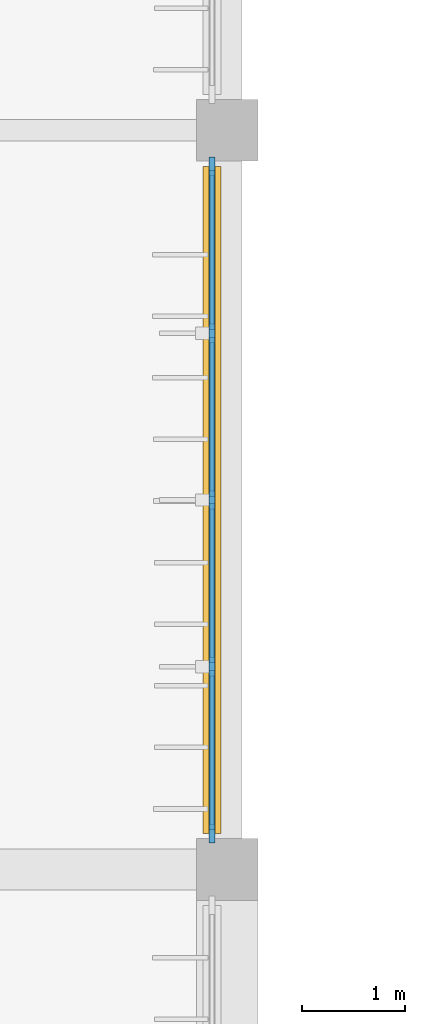
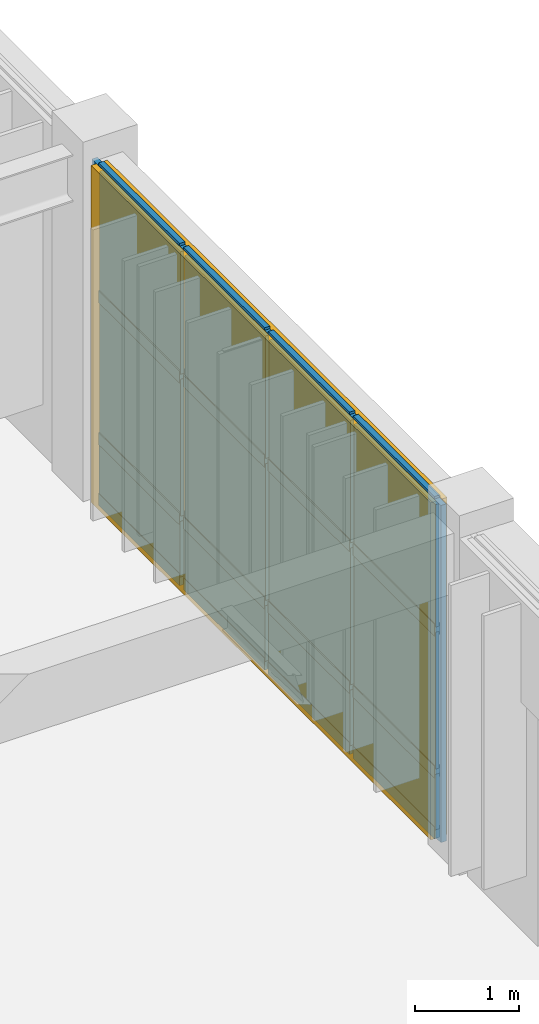
# One storey, part 72 of 122: 21 members, 12 plates, 1 curtain wall.
"""IFC4 building model written with IfcOpenShell, lengths in metres."""

import ifcopenshell
import ifcopenshell.guid

model = None  # the IFC model being written
_history = None  # IfcOwnerHistory: only IFC2X3 demands one
_inside = {}  # id of a spatial element -> (the spatial element, [elements in it])
_under = {}  # id of a project, library or spatial element -> (it, [spatial elements below it])
_declared = {}  # id of a project -> (the project, [libraries it declares])
_typed = {}  # id of a type object -> (the type object, [elements of that type])
_made_of = {}  # id of a material, layer set ... -> (it, [elements and type objects made of it])


def new_model(schema):
    """Start an empty IFC model of exactly this schema.

    Asked for "IFC4X3", IfcOpenShell would pick the latest addendum, in which some entities
    have other attributes; the version numbers below select the first issue.
    IFC2X3 requires an IfcOwnerHistory on every rooted entity: one is made here for all.
    """
    global model, _history
    if schema == "IFC4X3":
        model = ifcopenshell.file(schema_version=(4, 3, 0, 0))
    else:
        model = ifcopenshell.file(schema=schema)
    _inside.clear()
    _under.clear()
    _declared.clear()
    _typed.clear()
    _made_of.clear()
    _history = None
    if model.schema == "IFC2X3":
        org = make("IfcOrganization", Name="unknown")
        user = make(
            "IfcPersonAndOrganization",
            ThePerson=make("IfcPerson", FamilyName="unknown"),
            TheOrganization=org,
        )
        app = make(
            "IfcApplication",
            ApplicationDeveloper=org,
            Version="unknown",
            ApplicationFullName="unknown",
            ApplicationIdentifier="unknown",
        )
        _history = make(
            "IfcOwnerHistory",
            OwningUser=user,
            OwningApplication=app,
            ChangeAction="ADDED",
            CreationDate=0,
        )
    return model


def make(cls, **values):
    """One entity of the class cls with the attributes given. An attribute that is None is left unset."""
    return model.create_entity(
        cls, **{name: value for name, value in values.items() if value is not None}
    )


def rooted(cls, **values):
    """An entity with a GlobalId (a new one), such as an element, a storey or a relation."""
    return make(cls, GlobalId=ifcopenshell.guid.new(), OwnerHistory=_history, **values)


def si_unit(unit_type, name, prefix=None):
    """IfcSIUnit, for example si_unit("LENGTHUNIT", "METRE", prefix="MILLI")."""
    return make("IfcSIUnit", UnitType=unit_type, Prefix=prefix, Name=name)


def assignment(units):
    """IfcUnitAssignment: the units of a project."""
    return None if units is None else make("IfcUnitAssignment", Units=units)


def point(xyz):
    """IfcCartesianPoint."""
    return None if xyz is None else make("IfcCartesianPoint", Coordinates=xyz)


def direction(xyz):
    """IfcDirection."""
    return None if xyz is None else make("IfcDirection", DirectionRatios=xyz)


def frame(location, z_axis=None, x_axis=None):
    """IfcAxis2Placement3D, a coordinate frame: its origin and axes. An axis left out is left unset."""
    return make(
        "IfcAxis2Placement3D",
        Location=point(location),
        Axis=direction(z_axis),
        RefDirection=direction(x_axis),
    )


def frame_2d(location, x_axis=None):
    """IfcAxis2Placement2D, a coordinate frame in the plane: its origin and x axis."""
    return make(
        "IfcAxis2Placement2D", Location=point(location), RefDirection=direction(x_axis)
    )


def origin():
    """The frame at (0, 0, 0) with its axes left unset."""
    return frame((0.0, 0.0, 0.0))


def origin_2d():
    """The frame at (0, 0) in the plane with its x axis left unset."""
    return frame_2d((0.0, 0.0))


def place(relative_to, where):
    """IfcLocalPlacement: puts the frame where relative to a parent placement (None: the world)."""
    return make(
        "IfcLocalPlacement", PlacementRelTo=relative_to, RelativePlacement=where
    )


def context(
    kind, dimensions, precision=None, world=None, true_north=None, identifier=None
):
    """IfcGeometricRepresentationContext, for example the 3D "Model" context."""
    return make(
        "IfcGeometricRepresentationContext",
        ContextIdentifier=identifier,
        ContextType=kind,
        CoordinateSpaceDimension=dimensions,
        Precision=precision,
        WorldCoordinateSystem=world,
        TrueNorth=true_north,
    )


def subcontext(parent, identifier, kind, view, scale=None):
    """IfcGeometricRepresentationSubContext, for example "Body" below "Model"."""
    return make(
        "IfcGeometricRepresentationSubContext",
        ContextIdentifier=identifier,
        ContextType=kind,
        ParentContext=parent,
        TargetScale=scale,
        TargetView=view,
    )


def project(units=None, contexts=None):
    """IfcProject with its units and contexts."""
    return rooted(
        "IfcProject",
        Name="project",
        RepresentationContexts=contexts,
        UnitsInContext=assignment(units),
    )


def spatial(cls, under=None, at=None, **own):
    """A site, building, storey or space (cls), placed at a placement, below another one or the project."""
    s = rooted(cls, ObjectPlacement=at, **own)
    if under is not None:
        _under.setdefault(under.id(), (under, []))[1].append(s)
    return s


def profile(cls, at=None, kind="AREA", **sizes):
    """A parametric profile (cls). Its sizes go by their IFC names, for example OverallWidth=200.0."""
    return make(cls, ProfileType=kind, Position=at, **sizes)


def rectangle(**sizes):
    """IfcRectangleProfileDef."""
    return profile("IfcRectangleProfileDef", **sizes)


def extrude(swept, where, along, depth):
    """IfcExtrudedAreaSolid: the profile swept, set in the frame where, extruded along a direction by depth."""
    return make(
        "IfcExtrudedAreaSolid",
        SweptArea=swept,
        Position=where,
        ExtrudedDirection=direction(along),
        Depth=depth,
    )


def shape(context_of_items, identifier, shape_type, items):
    """IfcShapeRepresentation: the items that make up one representation, for example the "Body"."""
    return make(
        "IfcShapeRepresentation",
        ContextOfItems=context_of_items,
        RepresentationIdentifier=identifier,
        RepresentationType=shape_type,
        Items=items,
    )


def material(Name=None, Category=None):
    """IfcMaterial."""
    return make("IfcMaterial", Name=Name, Category=Category)


def layer(
    of_material, thickness, ventilated=None, Name=None, Category=None, Priority=None
):
    """IfcMaterialLayer: one layer of a wall or slab, of a material (None: an air gap)."""
    return make(
        "IfcMaterialLayer",
        Material=of_material,
        LayerThickness=thickness,
        IsVentilated=ventilated,
        Name=Name,
        Category=Category,
        Priority=Priority,
    )


def layer_set(layers, Name=None):
    """IfcMaterialLayerSet."""
    return make("IfcMaterialLayerSet", MaterialLayers=layers, LayerSetName=Name)


def material_profile(
    of_material, cross_section, Name=None, Category=None, Priority=None
):
    """IfcMaterialProfile: a cross section and its material."""
    return make(
        "IfcMaterialProfile",
        Name=Name,
        Material=of_material,
        Profile=cross_section,
        Priority=Priority,
        Category=Category,
    )


def profile_set(profiles, Name=None, composite=None):
    """IfcMaterialProfileSet."""
    return make(
        "IfcMaterialProfileSet",
        Name=Name,
        MaterialProfiles=profiles,
        CompositeProfile=composite,
    )


def made_of(thing, what):
    """Note that an element or type object is made of a material, layer set ...; save() writes the relation."""
    if what is not None:
        _made_of.setdefault(what.id(), (what, []))[1].append(thing)
    return thing


def type_object(cls, material=None, **own):
    """A type object (cls), such as IfcWallType, which elements share."""
    return made_of(rooted(cls, **own), material)


def element(
    cls,
    number,
    at=None,
    inside=None,
    cuts=None,
    type_object=None,
    material=None,
    context=None,
    identifier="Body",
    shape_type=None,
    held_by="IfcProductDefinitionShape",
    body=None,
    shapes=None,
    **own,
):
    """One element of the class cls, such as IfcWall. Its Tag is "e" and its number.

    at: its placement. inside: the storey or other place that contains it. cuts: it is an
    opening in that element (IfcRelVoidsElement). A single representation is given by context,
    identifier, shape_type and body (its items); several are given by shapes. held_by: the class
    of the entity that holds the representations. save() writes the other relations.
    """
    e = rooted(cls, Tag="e%d" % number, ObjectPlacement=at, **own)
    if body is not None:
        shapes = [shape(context, identifier, shape_type, body)]
    if shapes is not None:
        e.Representation = make(held_by, Representations=shapes)
    if inside is not None:
        _inside.setdefault(inside.id(), (inside, []))[1].append(e)
    if cuts is not None:
        rooted(
            "IfcRelVoidsElement", RelatingBuildingElement=cuts, RelatedOpeningElement=e
        )
    if type_object is not None:
        _typed.setdefault(type_object.id(), (type_object, []))[1].append(e)
    return made_of(e, material)


def aggregate(whole, parts):
    """IfcRelAggregates: a whole, such as a stair, and the parts it consists of."""
    return rooted("IfcRelAggregates", RelatingObject=whole, RelatedObjects=parts)


def save(model, path):
    """Write the relations noted so far, then the file.

    IfcRelAggregates (storeys below a building ...), IfcRelContainedInSpatialStructure (elements
    in a storey), IfcRelDefinesByType, IfcRelAssociatesMaterial and IfcRelDeclares: one each for
    every whole, place, type object, material and project.
    """
    for whole, parts in _under.values():
        aggregate(whole, parts)
    for where, things in _inside.values():
        rooted(
            "IfcRelContainedInSpatialStructure",
            RelatedElements=things,
            RelatingStructure=where,
        )
    for kind, things in _typed.values():
        rooted("IfcRelDefinesByType", RelatedObjects=things, RelatingType=kind)
    for what, things in _made_of.values():
        rooted("IfcRelAssociatesMaterial", RelatedObjects=things, RelatingMaterial=what)
    for by, libraries in _declared.values():
        rooted("IfcRelDeclares", RelatingContext=by, RelatedDefinitions=libraries)
    model.write(path)


model = new_model("IFC4")

# Units and contexts
model_context = context("Model", 3, precision=1e-05, world=origin(), true_north=direction((0.0, 1.0)))
body_context = subcontext(model_context, "Body", "Model", "MODEL_VIEW")
ifc_project = project(units=[si_unit("LENGTHUNIT", "METRE"), si_unit("AREAUNIT", "SQUARE_METRE"), si_unit("VOLUMEUNIT", "CUBIC_METRE"), si_unit("PLANEANGLEUNIT", "RADIAN"), si_unit("MASSUNIT", "GRAM", prefix="KILO")], contexts=[model_context])

# Member
ifc_material_1 = material(Name="Anodised Bronze Aluminium 6063-T6", Category="aluminium")
ifc_material_profile_1 = material_profile(ifc_material_1, rectangle(XDim=0.06005859375, YDim=0.179931640625, at=origin_2d()), Name="ALU MULLION 60x180")
ifc_profile_set_1 = profile_set([ifc_material_profile_1], Name="Anodised Bronze Aluminium 6063-T6")
member_type_1 = type_object("IfcMemberType", Name="Curtain-Wall Primary Mullion 60x180", PredefinedType="MULLION", material=ifc_profile_set_1)
site_placement = place(None, origin())
building_placement = place(site_placement, origin())
storey_placement = place(building_placement, frame((0.0, 0.0, 4.800048828125)))
member_1_placement = place(storey_placement, frame((27.449951171875, 52.14990234375, 0.0), z_axis=(0.0, 0.0, 1.0), x_axis=(1.0, 0.0, 0.0)))
member_1 = element("IfcMember", 1, at=member_1_placement, type_object=member_type_1, Name="Mullion CWM-01 CW-V6-E1-L01-B2-M01", PredefinedType="MULLION", context=body_context, shape_type="SweptSolid", body=[
    extrude(rectangle(XDim=0.06005859375, YDim=0.179931640625, at=origin_2d()), origin(), (0.0, 0.0, 1.0), 3.93994140625),
])

member_2_placement = place(storey_placement, frame((27.449951171875, 53.77490234375, 0.0), z_axis=(0.0, 0.0, 1.0), x_axis=(1.0, 0.0, 0.0)))
member_2 = element("IfcMember", 2, at=member_2_placement, type_object=member_type_1, Name="Mullion CWM-01 CW-V6-E1-L01-B2-M02", PredefinedType="MULLION", context=body_context, shape_type="SweptSolid", body=[
    extrude(rectangle(XDim=0.06005859375, YDim=0.179931640625, at=origin_2d()), origin(), (0.0, 0.0, 1.0), 3.93994140625),
])

member_3_placement = place(storey_placement, frame((27.449951171875, 55.39990234375, 0.0), z_axis=(0.0, 0.0, 1.0), x_axis=(1.0, 0.0, 0.0)))
member_3 = element("IfcMember", 3, at=member_3_placement, type_object=member_type_1, Name="Mullion CWM-01 CW-V6-E1-L01-B2-M03", PredefinedType="MULLION", context=body_context, shape_type="SweptSolid", body=[
    extrude(rectangle(XDim=0.06005859375, YDim=0.179931640625, at=origin_2d()), origin(), (0.0, 0.0, 1.0), 3.93994140625),
])

member_4_placement = place(storey_placement, frame((27.449951171875, 57.02490234375, 0.0), z_axis=(0.0, 0.0, 1.0), x_axis=(1.0, 0.0, 0.0)))
member_4 = element("IfcMember", 4, at=member_4_placement, type_object=member_type_1, Name="Mullion CWM-01 CW-V6-E1-L01-B2-M04", PredefinedType="MULLION", context=body_context, shape_type="SweptSolid", body=[
    extrude(rectangle(XDim=0.06005859375, YDim=0.179931640625, at=origin_2d()), origin(), (0.0, 0.0, 1.0), 3.93994140625),
])

member_5_placement = place(storey_placement, frame((27.449951171875, 58.64990234375, 0.0), z_axis=(0.0, 0.0, 1.0), x_axis=(1.0, 0.0, 0.0)))
member_5 = element("IfcMember", 5, at=member_5_placement, type_object=member_type_1, Name="Mullion CWM-01 CW-V6-E1-L01-B2-M05", PredefinedType="MULLION", context=body_context, shape_type="SweptSolid", body=[
    extrude(rectangle(XDim=0.06005859375, YDim=0.179931640625, at=origin_2d()), origin(), (0.0, 0.0, 1.0), 3.93994140625),
])

ifc_material_profile_2 = material_profile(ifc_material_1, rectangle(XDim=0.06005859375, YDim=0.139892578125, at=origin_2d()), Name="ALU TRANSOM 60x140")
ifc_profile_set_2 = profile_set([ifc_material_profile_2], Name="Anodised Bronze Aluminium 6063-T6")
member_type_2 = type_object("IfcMemberType", Name="Curtain-Wall Transom 60x140", PredefinedType="USERDEFINED", material=ifc_profile_set_2)
member_6_placement = place(storey_placement, frame((27.449951171875, 52.18505859375, 0.0400390625), z_axis=(0.0, 1.0, 0.0), x_axis=(-1.0, 0.0, 0.0)))
member_6 = element("IfcMember", 6, at=member_6_placement, type_object=member_type_2, Name="Transom CWT-01 CW-V6-E1-L01-B2-T01.1", ObjectType="TRANSOM", PredefinedType="USERDEFINED", context=body_context, shape_type="SweptSolid", body=[
    extrude(rectangle(XDim=0.06005859375, YDim=0.139892578125, at=origin_2d()), origin(), (0.0, 0.0, 1.0), 1.554931640625),
])

member_7_placement = place(storey_placement, frame((27.449951171875, 52.18505859375, 0.75), z_axis=(0.0, 1.0, 0.0), x_axis=(-1.0, 0.0, 0.0)))
member_7 = element("IfcMember", 7, at=member_7_placement, type_object=member_type_2, Name="Transom CWT-01 CW-V6-E1-L01-B2-T01.2", ObjectType="TRANSOM", PredefinedType="USERDEFINED", context=body_context, shape_type="SweptSolid", body=[
    extrude(rectangle(XDim=0.06005859375, YDim=0.139892578125, at=origin_2d()), origin(), (0.0, 0.0, 1.0), 1.554931640625),
])

member_8_placement = place(storey_placement, frame((27.449951171875, 52.18505859375, 2.40869140625), z_axis=(0.0, 1.0, 0.0), x_axis=(-1.0, 0.0, 0.0)))
member_8 = element("IfcMember", 8, at=member_8_placement, type_object=member_type_2, Name="Transom CWT-01 CW-V6-E1-L01-B2-T01.3", ObjectType="TRANSOM", PredefinedType="USERDEFINED", context=body_context, shape_type="SweptSolid", body=[
    extrude(rectangle(XDim=0.06005859375, YDim=0.139892578125, at=origin_2d()), origin(), (0.0, 0.0, 1.0), 1.554931640625),
])

member_9_placement = place(storey_placement, frame((27.449951171875, 52.18505859375, 3.89990234375), z_axis=(0.0, 1.0, 0.0), x_axis=(-1.0, 0.0, 0.0)))
member_9 = element("IfcMember", 9, at=member_9_placement, type_object=member_type_2, Name="Transom CWT-01 CW-V6-E1-L01-B2-T01.4", ObjectType="TRANSOM", PredefinedType="USERDEFINED", context=body_context, shape_type="SweptSolid", body=[
    extrude(rectangle(XDim=0.06005859375, YDim=0.139892578125, at=origin_2d()), origin(), (0.0, 0.0, 1.0), 1.554931640625),
])

member_10_placement = place(storey_placement, frame((27.449951171875, 53.81005859375, 0.0400390625), z_axis=(0.0, 1.0, 0.0), x_axis=(-1.0, 0.0, 0.0)))
member_10 = element("IfcMember", 10, at=member_10_placement, type_object=member_type_2, Name="Transom CWT-01 CW-V6-E1-L01-B2-T02.1", ObjectType="TRANSOM", PredefinedType="USERDEFINED", context=body_context, shape_type="SweptSolid", body=[
    extrude(rectangle(XDim=0.06005859375, YDim=0.139892578125, at=origin_2d()), origin(), (0.0, 0.0, 1.0), 1.554931640625),
])

member_11_placement = place(storey_placement, frame((27.449951171875, 53.81005859375, 0.75), z_axis=(0.0, 1.0, 0.0), x_axis=(-1.0, 0.0, 0.0)))
member_11 = element("IfcMember", 11, at=member_11_placement, type_object=member_type_2, Name="Transom CWT-01 CW-V6-E1-L01-B2-T02.2", ObjectType="TRANSOM", PredefinedType="USERDEFINED", context=body_context, shape_type="SweptSolid", body=[
    extrude(rectangle(XDim=0.06005859375, YDim=0.139892578125, at=origin_2d()), origin(), (0.0, 0.0, 1.0), 1.554931640625),
])

member_12_placement = place(storey_placement, frame((27.449951171875, 53.81005859375, 2.40869140625), z_axis=(0.0, 1.0, 0.0), x_axis=(-1.0, 0.0, 0.0)))
member_12 = element("IfcMember", 12, at=member_12_placement, type_object=member_type_2, Name="Transom CWT-01 CW-V6-E1-L01-B2-T02.3", ObjectType="TRANSOM", PredefinedType="USERDEFINED", context=body_context, shape_type="SweptSolid", body=[
    extrude(rectangle(XDim=0.06005859375, YDim=0.139892578125, at=origin_2d()), origin(), (0.0, 0.0, 1.0), 1.554931640625),
])

member_13_placement = place(storey_placement, frame((27.449951171875, 53.81005859375, 3.89990234375), z_axis=(0.0, 1.0, 0.0), x_axis=(-1.0, 0.0, 0.0)))
member_13 = element("IfcMember", 13, at=member_13_placement, type_object=member_type_2, Name="Transom CWT-01 CW-V6-E1-L01-B2-T02.4", ObjectType="TRANSOM", PredefinedType="USERDEFINED", context=body_context, shape_type="SweptSolid", body=[
    extrude(rectangle(XDim=0.06005859375, YDim=0.139892578125, at=origin_2d()), origin(), (0.0, 0.0, 1.0), 1.554931640625),
])

member_14_placement = place(storey_placement, frame((27.449951171875, 55.43505859375, 0.0400390625), z_axis=(0.0, 1.0, 0.0), x_axis=(-1.0, 0.0, 0.0)))
member_14 = element("IfcMember", 14, at=member_14_placement, type_object=member_type_2, Name="Transom CWT-01 CW-V6-E1-L01-B2-T03.1", ObjectType="TRANSOM", PredefinedType="USERDEFINED", context=body_context, shape_type="SweptSolid", body=[
    extrude(rectangle(XDim=0.06005859375, YDim=0.139892578125, at=origin_2d()), origin(), (0.0, 0.0, 1.0), 1.554931640625),
])

member_15_placement = place(storey_placement, frame((27.449951171875, 55.43505859375, 0.75), z_axis=(0.0, 1.0, 0.0), x_axis=(-1.0, 0.0, 0.0)))
member_15 = element("IfcMember", 15, at=member_15_placement, type_object=member_type_2, Name="Transom CWT-01 CW-V6-E1-L01-B2-T03.2", ObjectType="TRANSOM", PredefinedType="USERDEFINED", context=body_context, shape_type="SweptSolid", body=[
    extrude(rectangle(XDim=0.06005859375, YDim=0.139892578125, at=origin_2d()), origin(), (0.0, 0.0, 1.0), 1.554931640625),
])

member_16_placement = place(storey_placement, frame((27.449951171875, 55.43505859375, 2.40869140625), z_axis=(0.0, 1.0, 0.0), x_axis=(-1.0, 0.0, 0.0)))
member_16 = element("IfcMember", 16, at=member_16_placement, type_object=member_type_2, Name="Transom CWT-01 CW-V6-E1-L01-B2-T03.3", ObjectType="TRANSOM", PredefinedType="USERDEFINED", context=body_context, shape_type="SweptSolid", body=[
    extrude(rectangle(XDim=0.06005859375, YDim=0.139892578125, at=origin_2d()), origin(), (0.0, 0.0, 1.0), 1.554931640625),
])

member_17_placement = place(storey_placement, frame((27.449951171875, 55.43505859375, 3.89990234375), z_axis=(0.0, 1.0, 0.0), x_axis=(-1.0, 0.0, 0.0)))
member_17 = element("IfcMember", 17, at=member_17_placement, type_object=member_type_2, Name="Transom CWT-01 CW-V6-E1-L01-B2-T03.4", ObjectType="TRANSOM", PredefinedType="USERDEFINED", context=body_context, shape_type="SweptSolid", body=[
    extrude(rectangle(XDim=0.06005859375, YDim=0.139892578125, at=origin_2d()), origin(), (0.0, 0.0, 1.0), 1.554931640625),
])

member_18_placement = place(storey_placement, frame((27.449951171875, 57.06005859375, 0.0400390625), z_axis=(0.0, 1.0, 0.0), x_axis=(-1.0, 0.0, 0.0)))
member_18 = element("IfcMember", 18, at=member_18_placement, type_object=member_type_2, Name="Transom CWT-01 CW-V6-E1-L01-B2-T04.1", ObjectType="TRANSOM", PredefinedType="USERDEFINED", context=body_context, shape_type="SweptSolid", body=[
    extrude(rectangle(XDim=0.06005859375, YDim=0.139892578125, at=origin_2d()), origin(), (0.0, 0.0, 1.0), 1.554931640625),
])

member_19_placement = place(storey_placement, frame((27.449951171875, 57.06005859375, 0.75), z_axis=(0.0, 1.0, 0.0), x_axis=(-1.0, 0.0, 0.0)))
member_19 = element("IfcMember", 19, at=member_19_placement, type_object=member_type_2, Name="Transom CWT-01 CW-V6-E1-L01-B2-T04.2", ObjectType="TRANSOM", PredefinedType="USERDEFINED", context=body_context, shape_type="SweptSolid", body=[
    extrude(rectangle(XDim=0.06005859375, YDim=0.139892578125, at=origin_2d()), origin(), (0.0, 0.0, 1.0), 1.554931640625),
])

member_20_placement = place(storey_placement, frame((27.449951171875, 57.06005859375, 2.40869140625), z_axis=(0.0, 1.0, 0.0), x_axis=(-1.0, 0.0, 0.0)))
member_20 = element("IfcMember", 20, at=member_20_placement, type_object=member_type_2, Name="Transom CWT-01 CW-V6-E1-L01-B2-T04.3", ObjectType="TRANSOM", PredefinedType="USERDEFINED", context=body_context, shape_type="SweptSolid", body=[
    extrude(rectangle(XDim=0.06005859375, YDim=0.139892578125, at=origin_2d()), origin(), (0.0, 0.0, 1.0), 1.554931640625),
])

member_21_placement = place(storey_placement, frame((27.449951171875, 57.06005859375, 3.89990234375), z_axis=(0.0, 1.0, 0.0), x_axis=(-1.0, 0.0, 0.0)))
member_21 = element("IfcMember", 21, at=member_21_placement, type_object=member_type_2, Name="Transom CWT-01 CW-V6-E1-L01-B2-T04.4", ObjectType="TRANSOM", PredefinedType="USERDEFINED", context=body_context, shape_type="SweptSolid", body=[
    extrude(rectangle(XDim=0.06005859375, YDim=0.139892578125, at=origin_2d()), origin(), (0.0, 0.0, 1.0), 1.554931640625),
])

# Plate
ifc_material_2 = material(Name="Insulated Bronze Aluminium Spandrel Panel", Category="aluminium")
ifc_layer_1 = layer(ifc_material_2, 0.050048828125, Name="Insulated Bronze Aluminium Spandrel Panel")
ifc_layer_set_1 = layer_set([ifc_layer_1], Name="Insulated Bronze Aluminium Spandrel Panel")
plate_type_1 = type_object("IfcPlateType", Name="Insulated Anodised Aluminium Spandrel Cassette 50", PredefinedType="CURTAIN_PANEL", material=ifc_layer_set_1)
plate_1_placement = place(storey_placement, frame((27.449951171875, 52.96240234375, 0.070068359375), z_axis=(0.0, 0.0, 1.0), x_axis=(0.0, 1.0, 0.0)))
plate_1 = element("IfcPlate", 22, at=plate_1_placement, type_object=plate_type_1, Name="Curtain Panel CWP-03 CW-V6-E1-L01-B2-P01.1", PredefinedType="CURTAIN_PANEL", context=body_context, shape_type="SweptSolid", body=[
    extrude(rectangle(XDim=1.554931640625, YDim=0.050048828125, at=origin_2d()), origin(), (0.0, 0.0, 1.0), 0.64990234375),
])

plate_2_placement = place(storey_placement, frame((27.449951171875, 54.58740234375, 0.070068359375), z_axis=(0.0, 0.0, 1.0), x_axis=(0.0, 1.0, 0.0)))
plate_2 = element("IfcPlate", 23, at=plate_2_placement, type_object=plate_type_1, Name="Curtain Panel CWP-03 CW-V6-E1-L01-B2-P02.1", PredefinedType="CURTAIN_PANEL", context=body_context, shape_type="SweptSolid", body=[
    extrude(rectangle(XDim=1.554931640625, YDim=0.050048828125, at=origin_2d()), origin(), (0.0, 0.0, 1.0), 0.64990234375),
])

plate_3_placement = place(storey_placement, frame((27.449951171875, 56.21240234375, 0.070068359375), z_axis=(0.0, 0.0, 1.0), x_axis=(0.0, 1.0, 0.0)))
plate_3 = element("IfcPlate", 24, at=plate_3_placement, type_object=plate_type_1, Name="Curtain Panel CWP-03 CW-V6-E1-L01-B2-P03.1", PredefinedType="CURTAIN_PANEL", context=body_context, shape_type="SweptSolid", body=[
    extrude(rectangle(XDim=1.554931640625, YDim=0.050048828125, at=origin_2d()), origin(), (0.0, 0.0, 1.0), 0.64990234375),
])

plate_4_placement = place(storey_placement, frame((27.449951171875, 57.83740234375, 0.070068359375), z_axis=(0.0, 0.0, 1.0), x_axis=(0.0, 1.0, 0.0)))
plate_4 = element("IfcPlate", 25, at=plate_4_placement, type_object=plate_type_1, Name="Curtain Panel CWP-03 CW-V6-E1-L01-B2-P04.1", PredefinedType="CURTAIN_PANEL", context=body_context, shape_type="SweptSolid", body=[
    extrude(rectangle(XDim=1.554931640625, YDim=0.050048828125, at=origin_2d()), origin(), (0.0, 0.0, 1.0), 0.64990234375),
])

ifc_material_3 = material(Name="Solar-Control Tempered Double Glazing", Category="glass")
ifc_layer_2 = layer(ifc_material_3, 0.0380859375, Name="Solar-Control Tempered Double Glazing")
ifc_layer_set_2 = layer_set([ifc_layer_2], Name="Solar-Control Tempered Double Glazing")
plate_type_2 = type_object("IfcPlateType", Name="Solar-Control Vision Glazing Unit 38", PredefinedType="CURTAIN_PANEL", material=ifc_layer_set_2)
plate_5_placement = place(storey_placement, frame((27.449951171875, 52.96240234375, 0.77978515625), z_axis=(0.0, 0.0, 1.0), x_axis=(0.0, 1.0, 0.0)))
plate_5 = element("IfcPlate", 26, at=plate_5_placement, type_object=plate_type_2, Name="Curtain Panel CWP-02 CW-V6-E1-L01-B2-P01.2", PredefinedType="CURTAIN_PANEL", context=body_context, shape_type="SweptSolid", body=[
    extrude(rectangle(XDim=1.554931640625, YDim=0.0380859375, at=origin_2d()), origin(), (0.0, 0.0, 1.0), 1.598876953125),
])

plate_6_placement = place(storey_placement, frame((27.449951171875, 52.96240234375, 2.438720703125), z_axis=(0.0, 0.0, 1.0), x_axis=(0.0, 1.0, 0.0)))
plate_6 = element("IfcPlate", 27, at=plate_6_placement, type_object=plate_type_2, Name="Curtain Panel CWP-02 CW-V6-E1-L01-B2-P01.3", PredefinedType="CURTAIN_PANEL", context=body_context, shape_type="SweptSolid", body=[
    extrude(rectangle(XDim=1.554931640625, YDim=0.0380859375, at=origin_2d()), origin(), (0.0, 0.0, 1.0), 1.43115234375),
])

plate_7_placement = place(storey_placement, frame((27.449951171875, 54.58740234375, 0.77978515625), z_axis=(0.0, 0.0, 1.0), x_axis=(0.0, 1.0, 0.0)))
plate_7 = element("IfcPlate", 28, at=plate_7_placement, type_object=plate_type_2, Name="Curtain Panel CWP-02 CW-V6-E1-L01-B2-P02.2", PredefinedType="CURTAIN_PANEL", context=body_context, shape_type="SweptSolid", body=[
    extrude(rectangle(XDim=1.554931640625, YDim=0.0380859375, at=origin_2d()), origin(), (0.0, 0.0, 1.0), 1.598876953125),
])

plate_8_placement = place(storey_placement, frame((27.449951171875, 54.58740234375, 2.438720703125), z_axis=(0.0, 0.0, 1.0), x_axis=(0.0, 1.0, 0.0)))
plate_8 = element("IfcPlate", 29, at=plate_8_placement, type_object=plate_type_2, Name="Curtain Panel CWP-02 CW-V6-E1-L01-B2-P02.3", PredefinedType="CURTAIN_PANEL", context=body_context, shape_type="SweptSolid", body=[
    extrude(rectangle(XDim=1.554931640625, YDim=0.0380859375, at=origin_2d()), origin(), (0.0, 0.0, 1.0), 1.43115234375),
])

plate_9_placement = place(storey_placement, frame((27.449951171875, 56.21240234375, 0.77978515625), z_axis=(0.0, 0.0, 1.0), x_axis=(0.0, 1.0, 0.0)))
plate_9 = element("IfcPlate", 30, at=plate_9_placement, type_object=plate_type_2, Name="Curtain Panel CWP-02 CW-V6-E1-L01-B2-P03.2", PredefinedType="CURTAIN_PANEL", context=body_context, shape_type="SweptSolid", body=[
    extrude(rectangle(XDim=1.554931640625, YDim=0.0380859375, at=origin_2d()), origin(), (0.0, 0.0, 1.0), 1.598876953125),
])

plate_10_placement = place(storey_placement, frame((27.449951171875, 56.21240234375, 2.438720703125), z_axis=(0.0, 0.0, 1.0), x_axis=(0.0, 1.0, 0.0)))
plate_10 = element("IfcPlate", 31, at=plate_10_placement, type_object=plate_type_2, Name="Curtain Panel CWP-02 CW-V6-E1-L01-B2-P03.3", PredefinedType="CURTAIN_PANEL", context=body_context, shape_type="SweptSolid", body=[
    extrude(rectangle(XDim=1.554931640625, YDim=0.0380859375, at=origin_2d()), origin(), (0.0, 0.0, 1.0), 1.43115234375),
])

plate_11_placement = place(storey_placement, frame((27.449951171875, 57.83740234375, 0.77978515625), z_axis=(0.0, 0.0, 1.0), x_axis=(0.0, 1.0, 0.0)))
plate_11 = element("IfcPlate", 32, at=plate_11_placement, type_object=plate_type_2, Name="Curtain Panel CWP-02 CW-V6-E1-L01-B2-P04.2", PredefinedType="CURTAIN_PANEL", context=body_context, shape_type="SweptSolid", body=[
    extrude(rectangle(XDim=1.554931640625, YDim=0.0380859375, at=origin_2d()), origin(), (0.0, 0.0, 1.0), 1.598876953125),
])

plate_12_placement = place(storey_placement, frame((27.449951171875, 57.83740234375, 2.438720703125), z_axis=(0.0, 0.0, 1.0), x_axis=(0.0, 1.0, 0.0)))
plate_12 = element("IfcPlate", 33, at=plate_12_placement, type_object=plate_type_2, Name="Curtain Panel CWP-02 CW-V6-E1-L01-B2-P04.3", PredefinedType="CURTAIN_PANEL", context=body_context, shape_type="SweptSolid", body=[
    extrude(rectangle(XDim=1.554931640625, YDim=0.0380859375, at=origin_2d()), origin(), (0.0, 0.0, 1.0), 1.43115234375),
])

# Site, building, storey
site = spatial("IfcSite", under=ifc_project, at=site_placement, CompositionType="ELEMENT")
building = spatial("IfcBuilding", under=site, at=building_placement, Name="Tazoul Stagehouse", CompositionType="ELEMENT")
storey = spatial("IfcBuildingStorey", under=building, at=storey_placement, Name="L01", CompositionType="ELEMENT", Elevation=4.800048828125)

# Curtain wall
curtain_wall_type = type_object("IfcCurtainWallType", Name="Foyer Clear Solar-Control Curtain Wall", PredefinedType="NOTDEFINED", material=ifc_material_1)
curtain_wall_placement = place(storey_placement, frame((27.449951171875, 52.14990234375, 0.0), z_axis=(0.0, 0.0, 1.0), x_axis=(0.0, 1.0, 0.0)))
curtain_wall = element("IfcCurtainWall", 34, at=curtain_wall_placement, inside=storey, type_object=curtain_wall_type, Name="L01 Curtain Wall CW-02 (CW-V6-E1-L01-B2)", PredefinedType="NOTDEFINED", context=body_context, shape_type="SweptSolid", body=[
    extrude(rectangle(XDim=6.5, YDim=0.179931640625, at=frame_2d((3.25, 0.0))), origin(), (0.0, 0.0, 1.0), 3.93994140625),
])

aggregate(curtain_wall, [member_1, member_2, member_3, member_4, member_5, member_6, member_7, member_8, member_9, plate_1, plate_5, plate_6, member_10, member_11, member_12, member_13, plate_2, plate_7, plate_8, member_14, member_15, member_16, member_17, plate_3, plate_9, plate_10, member_18, member_19, member_20, member_21, plate_4, plate_11, plate_12])

save(model, "model.ifc")
